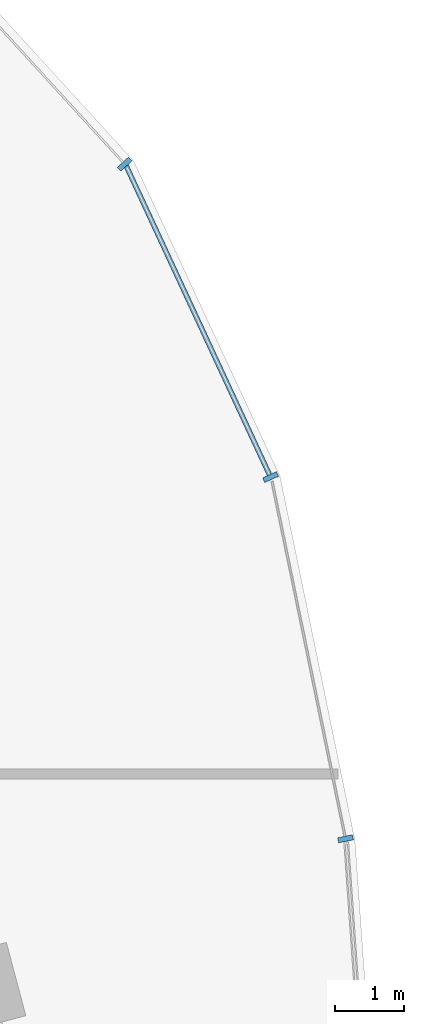
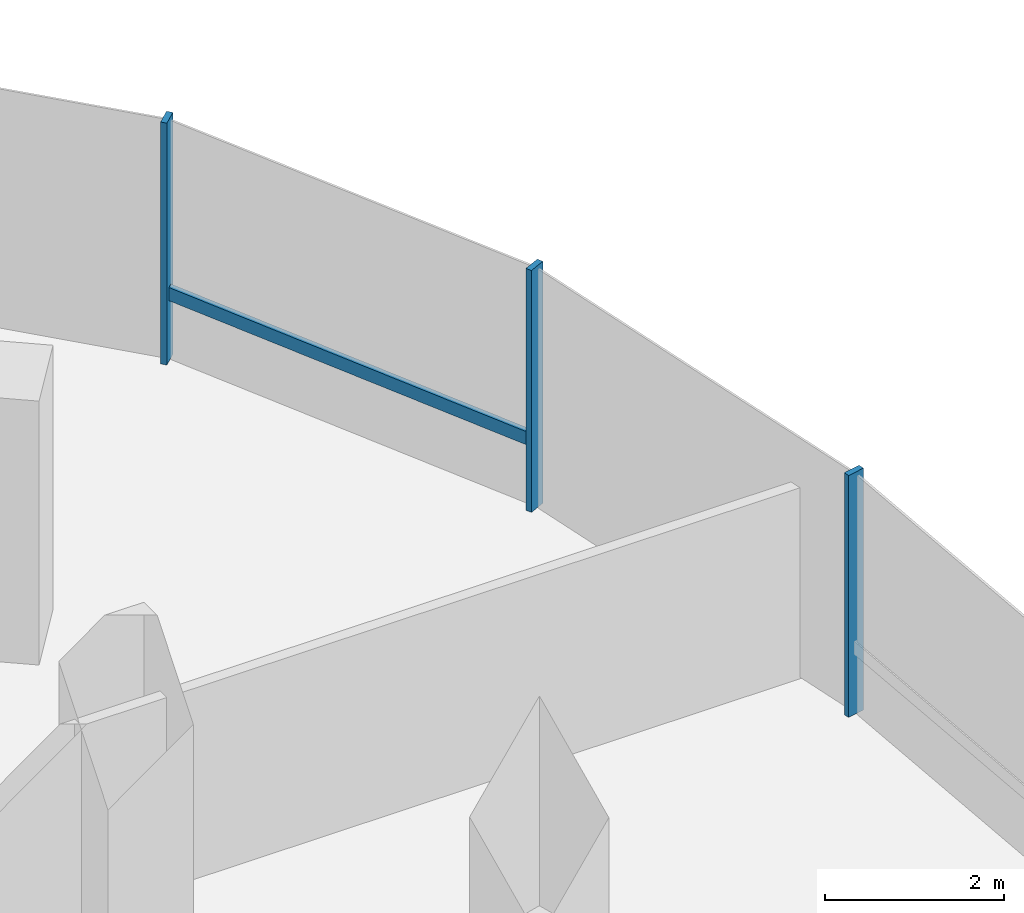
# One storey, part 8 of 21: 4 members, 1 element without a shape of its own.
"""IFC4 building model written with IfcOpenShell, lengths in metres."""

from ifc_helpers import new_model, si_unit, direction, frame, origin, origin_2d, place, context, subcontext, project, spatial, rectangle, extrude, material, material_profile, profile_set, type_object, element, aggregate, save


model = new_model("IFC4")

# Units and contexts
model_context = context("Model", 3, precision=1e-05, world=origin(), true_north=direction((0.0, 1.0)))
body_context = subcontext(model_context, "Body", "Model", "MODEL_VIEW")
ifc_project = project(units=[si_unit("LENGTHUNIT", "METRE"), si_unit("AREAUNIT", "SQUARE_METRE"), si_unit("VOLUMEUNIT", "CUBIC_METRE"), si_unit("PLANEANGLEUNIT", "RADIAN"), si_unit("MASSUNIT", "GRAM", prefix="KILO"), si_unit("THERMODYNAMICTEMPERATUREUNIT", "KELVIN"), si_unit("POWERUNIT", "WATT")], contexts=[model_context])

# Site, building, storey
site_placement = place(None, origin())
site = spatial("IfcSite", under=ifc_project, at=site_placement, CompositionType="ELEMENT")
building_placement = place(site_placement, origin())
building = spatial("IfcBuilding", under=site, at=building_placement, Name="Cundina Bronze Exchange", CompositionType="ELEMENT")
storey_placement = place(building_placement, frame((0.0, 0.0, 96.199951171875)))
storey = spatial("IfcBuildingStorey", under=building, at=storey_placement, Name="L24", CompositionType="ELEMENT", Elevation=96.199951171875)

# Curtain wall, members
ifc_material = material(Name="Anodised Bronze Aluminium 6063-T6", Category="aluminium")
curtain_wall_type = type_object("IfcCurtainWallType", Name="CWS-TRD-MID", PredefinedType="NOTDEFINED", material=ifc_material)
curtain_wall_placement = place(storey_placement, origin())
curtain_wall = element("IfcCurtainWall", 1, at=curtain_wall_placement, inside=storey, type_object=curtain_wall_type, Name="L24 CW-03 Curtain Wall Run CWR-L24-E1", PredefinedType="NOTDEFINED")
ifc_material_profile_1 = material_profile(ifc_material, rectangle(XDim=0.074951171875, YDim=0.219970703125, at=origin_2d()), Name="AL75X220", Category="aluminium")
ifc_profile_set_1 = profile_set([ifc_material_profile_1], Name="Anodised Bronze Aluminium 6063-T6")
member_type_1 = type_object("IfcMemberType", Name="CWM-MUL-220", PredefinedType="MULLION", material=ifc_profile_set_1)
member_1_placement = place(storey_placement, frame((50.717041015625, 8.67822265625, 0.0), z_axis=(0.0, 0.0, 1.0), x_axis=(-0.201419845156, 0.979505000486, 0.0)))
member_1 = element("IfcMember", 2, at=member_1_placement, type_object=member_type_1, Name="CW-03 Mullion 2", PredefinedType="MULLION", context=body_context, shape_type="SweptSolid", body=[
    extrude(rectangle(XDim=0.074951171875, YDim=0.219970703125, at=origin_2d()), origin(), (0.0, 0.0, 1.0), 3.300048828125),
])
member_2_placement = place(storey_placement, frame((49.6279296875, 13.931884765625, 0.0), z_axis=(0.0, 0.0, 1.0), x_axis=(-0.42087749791, 0.907117485088, 0.0)))
member_2 = element("IfcMember", 3, at=member_2_placement, type_object=member_type_1, Name="CW-03 Mullion 3", PredefinedType="MULLION", context=body_context, shape_type="SweptSolid", body=[
    extrude(rectangle(XDim=0.074951171875, YDim=0.219970703125, at=origin_2d()), origin(), (0.0, 0.0, 1.0), 3.300048828125),
])
member_3_placement = place(storey_placement, frame((47.508544921875, 18.47705078125, 0.0), z_axis=(0.0, 0.0, 1.0), x_axis=(-0.674302387584, 0.738455340626, 0.0)))
member_3 = element("IfcMember", 4, at=member_3_placement, type_object=member_type_1, Name="CW-03 Mullion 4", PredefinedType="MULLION", context=body_context, shape_type="SweptSolid", body=[
    extrude(rectangle(XDim=0.074951171875, YDim=0.219970703125, at=origin_2d()), origin(), (0.0, 0.0, 1.0), 3.300048828125),
])
ifc_material_profile_2 = material_profile(ifc_material, rectangle(XDim=0.070068359375, YDim=0.179931640625, at=origin_2d()), Name="AL70X180", Category="aluminium")
ifc_profile_set_2 = profile_set([ifc_material_profile_2], Name="Anodised Bronze Aluminium 6063-T6")
member_type_2 = type_object("IfcMemberType", Name="CWM-TRN-180", PredefinedType="USERDEFINED", material=ifc_profile_set_2)
member_4_placement = place(storey_placement, frame((49.610595703125, 13.96923828125, 0.920166015625), z_axis=(-0.420811422796, 0.907148139195, 0.0), x_axis=(-0.907148139195, -0.420811422796, 0.0)))
member_4 = element("IfcMember", 5, at=member_4_placement, type_object=member_type_2, Name="CW-03 Spandrel Transom 3", ObjectType="TRANSOM", PredefinedType="USERDEFINED", context=body_context, shape_type="SweptSolid", body=[
    extrude(rectangle(XDim=0.070068359375, YDim=0.179931640625, at=origin_2d()), origin(), (0.0, 0.0, 1.0), 4.95166015625),
])
aggregate(curtain_wall, [member_1, member_2, member_4, member_3])

save(model, "model.ifc")
